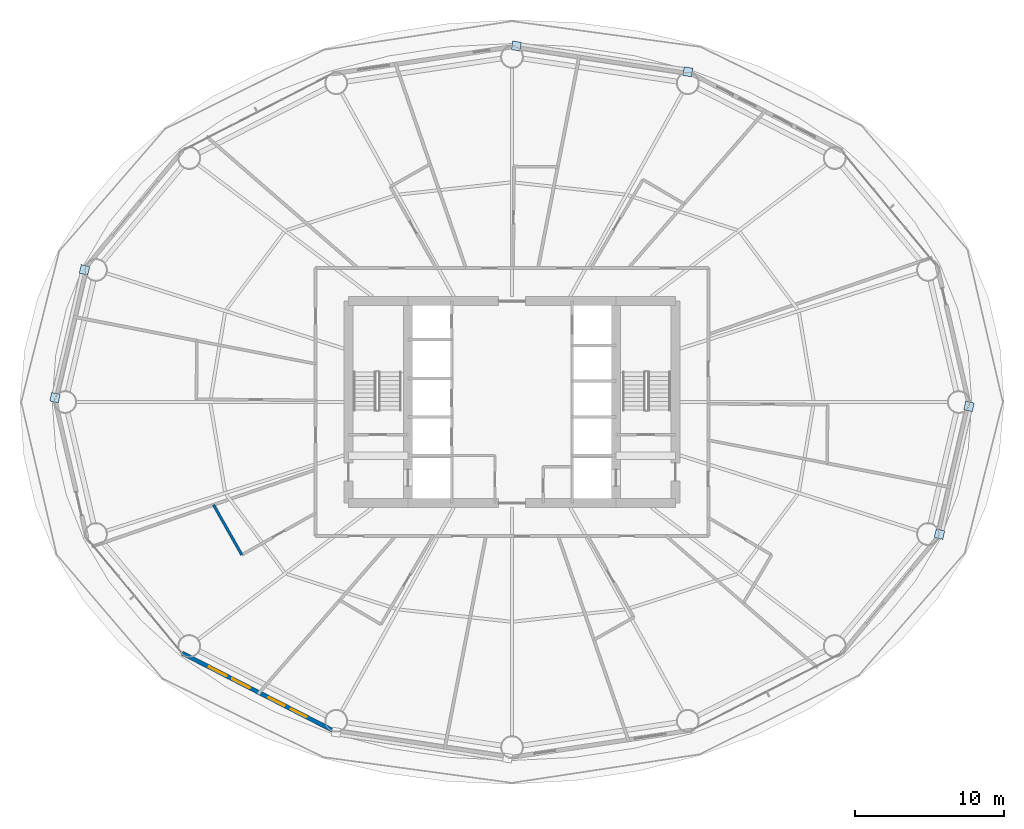
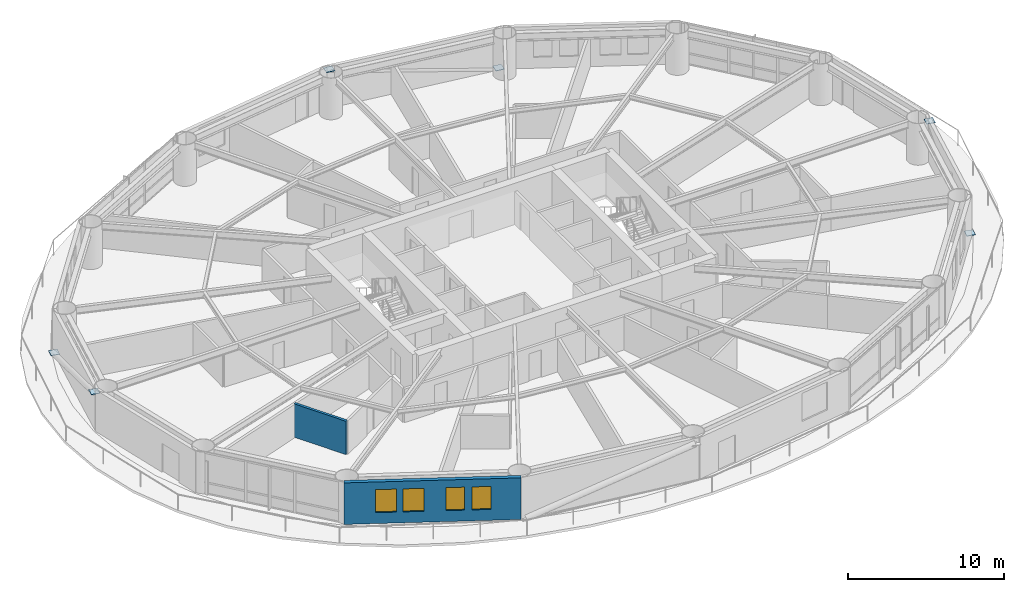
# One storey, part 20 of 27: 6 plates, 4 windows, 2 walls, 4 openings.
"""IFC4 building model written with IfcOpenShell, lengths in metres."""

from ifc_helpers import new_model, si_unit, direction, frame, frame_2d, origin, origin_2d, place, context, subcontext, project, spatial, rectangle, extrude, material, layer, layer_set, type_object, element, fill, save


model = new_model("IFC4")

# Units and contexts
model_context = context("Model", 3, precision=1e-05, world=origin(), true_north=direction((0.0, 1.0)))
body_context = subcontext(model_context, "Body", "Model", "MODEL_VIEW")
ifc_project = project(units=[si_unit("LENGTHUNIT", "METRE"), si_unit("AREAUNIT", "SQUARE_METRE"), si_unit("VOLUMEUNIT", "CUBIC_METRE"), si_unit("PLANEANGLEUNIT", "RADIAN"), si_unit("MASSUNIT", "GRAM", prefix="KILO")], contexts=[model_context])

# Site, building, storey
site_placement = place(None, origin())
site = spatial("IfcSite", under=ifc_project, at=site_placement, CompositionType="ELEMENT")
building_placement = place(site_placement, origin())
building = spatial("IfcBuilding", under=site, at=building_placement, Name="Sarneth Arch Tower", CompositionType="ELEMENT")
storey_placement = place(building_placement, frame((0.0, 0.0, 75.0)))
storey = spatial("IfcBuildingStorey", under=building, at=storey_placement, Name="L18", CompositionType="ELEMENT", Elevation=75.0)

# Plates
ifc_material_1 = material(Name="Steel S355", Category="steel")
ifc_layer_1 = layer(ifc_material_1, 0.035888671875)
ifc_layer_set_1 = layer_set([ifc_layer_1], Name="Steel S355")
plate_type = type_object("IfcPlateType", Name="PLT-GUSSET-30", PredefinedType="SHEET", material=ifc_layer_set_1)
for number, where, z_axis, x_axis, name in (
    (1, (59.819580078125, 64.19921875, 0.001953125), (0.0, 0.0, 1.0), (-0.98883454203, 0.149017611339, 0.0), "Steel end cap plate GP-1"),
    (2, (48.296630859375, 65.935302734375, 2.85888671875), (0.0, 0.0, 1.0), (-0.98883454203, 0.149017611339, 0.0), "Steel end cap plate GP-1"),
    (3, (19.260986328125, 50.884521484375, 0.001953125), (0.0, 0.0, 1.0), (-0.225291159947, -0.974291482694, 0.0), "Steel end cap plate GP-1"),
    (4, (17.274658203125, 42.292236328125, 2.85888671875), (0.0, 0.0, 1.0), (-0.225291159947, -0.974291482694, 0.0), "Steel end cap plate GP-1"),
    (5, (76.739013671875, 33.115478515625, 0.001953125), (0.0, 0.0, 1.0), (0.225291159947, 0.974291482694, 0.0), "Steel end cap plate GP-1"),
    (6, (78.725341796875, 41.707763671875, 2.85888671875), (0.0, 0.0, 1.0), (0.225291159947, 0.974291482694, 0.0), "Steel end cap plate GP-1"),
):
    element("IfcPlate", number, at=place(storey_placement, frame(where, z_axis=z_axis, x_axis=x_axis)), inside=storey, type_object=plate_type, Name=name, PredefinedType="SHEET", context=body_context, shape_type="SweptSolid", body=[
        extrude(rectangle(XDim=0.587890625, YDim=0.587890625, at=origin_2d()), origin(), (0.0, 0.0, 1.0), 0.035888671875),
    ])

# Wall, openings, windows
ifc_material_2 = material(Name="Extruded terracotta rainscreen on Concrete C40/50 backing", Category="masonry")
ifc_layer_2 = layer(ifc_material_2, 0.280029296875)
ifc_layer_set_2 = layer_set([ifc_layer_2], Name="Extruded terracotta rainscreen on Concrete C40/50 backing")
wall_type_1 = type_object("IfcWallType", Name="WALL-EXT-TERRA-280", PredefinedType="SOLIDWALL", material=ifc_layer_set_2)
wall_1_placement = place(storey_placement, frame((25.825927734375, 25.1142578125, 0.0), z_axis=(0.0, 0.0, 1.0), x_axis=(0.889853976658, -0.456245438581, 0.0)))
wall_1 = element("IfcWall", 7, at=wall_1_placement, inside=storey, type_object=wall_type_1, Name="L18 Terracotta perimeter wall 11", PredefinedType="SOLIDWALL", context=body_context, shape_type="SweptSolid", body=[
    extrude(rectangle(XDim=11.345947265625, YDim=0.280029296875, at=frame_2d((5.6728515625, 0.0))), origin(), (0.0, 0.0, 1.0), 3.25),
])
opening_1_placement = place(wall_1_placement, frame((2.01953125, 0.0, 0.85009765625)))
opening_1 = element("IfcOpeningElement", 8, at=opening_1_placement, cuts=wall_1, Name="Opening W-08", PredefinedType="OPENING", context=body_context, shape_type="SweptSolid", body=[
    extrude(rectangle(XDim=1.35009765625, YDim=1.800048828125, at=frame_2d((0.675048828125, 0.89990234375))), frame((0.0, 0.14990234375, 0.0), z_axis=(0.0, -1.0, 0.0), x_axis=(1.0, 0.0, 0.0)), (0.0, 0.0, 1.0), 0.300048828125),
])
opening_2_placement = place(wall_1_placement, frame((3.78369140625, 0.0, 0.85009765625)))
opening_2 = element("IfcOpeningElement", 9, at=opening_2_placement, cuts=wall_1, Name="Opening W-08", PredefinedType="OPENING", context=body_context, shape_type="SweptSolid", body=[
    extrude(rectangle(XDim=1.35009765625, YDim=1.800048828125, at=frame_2d((0.675048828125, 0.89990234375))), frame((0.0, 0.14990234375, 0.0), z_axis=(0.0, -1.0, 0.0), x_axis=(1.0, 0.0, 0.0)), (0.0, 0.0, 1.0), 0.300048828125),
])
opening_3_placement = place(wall_1_placement, frame((6.52880859375, 0.0, 0.85009765625)))
opening_3 = element("IfcOpeningElement", 10, at=opening_3_placement, cuts=wall_1, Name="Opening W-09", PredefinedType="OPENING", context=body_context, shape_type="SweptSolid", body=[
    extrude(rectangle(XDim=1.199951171875, YDim=1.800048828125, at=frame_2d((0.60009765625, 0.89990234375))), frame((0.0, 0.14990234375, 0.0), z_axis=(0.0, -1.0, 0.0), x_axis=(1.0, 0.0, 0.0)), (0.0, 0.0, 1.0), 0.300048828125),
])
opening_4_placement = place(wall_1_placement, frame((8.209716796875, 0.0, 0.85009765625)))
opening_4 = element("IfcOpeningElement", 11, at=opening_4_placement, cuts=wall_1, Name="Opening W-09", PredefinedType="OPENING", context=body_context, shape_type="SweptSolid", body=[
    extrude(rectangle(XDim=1.199951171875, YDim=1.800048828125, at=frame_2d((0.60009765625, 0.89990234375))), frame((0.0, 0.14990234375, 0.0), z_axis=(0.0, -1.0, 0.0), x_axis=(1.0, 0.0, 0.0)), (0.0, 0.0, 1.0), 0.300048828125),
])
ifc_material_3 = material(Name="Thermally broken Aluminium 6063-T6 and low-e laminated IGU", Category="aluminium")
window_type_1 = type_object("IfcWindowType", Name="WIN-TWR-1200x1800", PartitioningType="SINGLE_PANEL", PredefinedType="WINDOW", material=ifc_material_3)
window_1_placement = place(opening_3_placement, origin())
window_1 = element("IfcWindow", 12, at=window_1_placement, inside=storey, type_object=window_type_1, Name="L18 Exterior window 11C", OverallHeight=1.800048828125, OverallWidth=1.199951171875, PartitioningType="SINGLE_PANEL", PredefinedType="WINDOW", context=body_context, shape_type="SweptSolid", body=[
    extrude(rectangle(XDim=1.199951171875, YDim=1.800048828125, at=frame_2d((0.60009765625, 0.89990234375))), frame((0.0, 0.030029296875, 0.0), z_axis=(0.0, -1.0, 0.0), x_axis=(1.0, 0.0, 0.0)), (0.0, 0.0, 1.0), 0.06005859375),
])
fill(opening_3, window_1)
window_2_placement = place(opening_4_placement, origin())
window_2 = element("IfcWindow", 13, at=window_2_placement, inside=storey, type_object=window_type_1, Name="L18 Exterior window 11D", OverallHeight=1.800048828125, OverallWidth=1.199951171875, PartitioningType="SINGLE_PANEL", PredefinedType="WINDOW", context=body_context, shape_type="SweptSolid", body=[
    extrude(rectangle(XDim=1.199951171875, YDim=1.800048828125, at=frame_2d((0.60009765625, 0.89990234375))), frame((0.0, 0.030029296875, 0.0), z_axis=(0.0, -1.0, 0.0), x_axis=(1.0, 0.0, 0.0)), (0.0, 0.0, 1.0), 0.06005859375),
])
fill(opening_4, window_2)
ifc_material_4 = material(Name="Thermally broken Aluminium 6063-T6 and low-e laminated IGU", Category="aluminium")
window_type_2 = type_object("IfcWindowType", Name="WIN-TWR-1350x1800", PartitioningType="SINGLE_PANEL", PredefinedType="WINDOW", material=ifc_material_4)
window_3_placement = place(opening_1_placement, origin())
window_3 = element("IfcWindow", 14, at=window_3_placement, inside=storey, type_object=window_type_2, Name="L18 Exterior window 11A", OverallHeight=1.800048828125, OverallWidth=1.35009765625, PartitioningType="SINGLE_PANEL", PredefinedType="WINDOW", context=body_context, shape_type="SweptSolid", body=[
    extrude(rectangle(XDim=1.35009765625, YDim=1.800048828125, at=frame_2d((0.675048828125, 0.89990234375))), frame((0.0, 0.030029296875, 0.0), z_axis=(0.0, -1.0, 0.0), x_axis=(1.0, 0.0, 0.0)), (0.0, 0.0, 1.0), 0.06005859375),
])
fill(opening_1, window_3)
window_4_placement = place(opening_2_placement, origin())
window_4 = element("IfcWindow", 15, at=window_4_placement, inside=storey, type_object=window_type_2, Name="L18 Exterior window 11B", OverallHeight=1.800048828125, OverallWidth=1.35009765625, PartitioningType="SINGLE_PANEL", PredefinedType="WINDOW", context=body_context, shape_type="SweptSolid", body=[
    extrude(rectangle(XDim=1.35009765625, YDim=1.800048828125, at=frame_2d((0.675048828125, 0.89990234375))), frame((0.0, 0.030029296875, 0.0), z_axis=(0.0, -1.0, 0.0), x_axis=(1.0, 0.0, 0.0)), (0.0, 0.0, 1.0), 0.06005859375),
])
fill(opening_2, window_4)

# Wall
ifc_material_5 = material(Name="Moisture-resistant plumbing chase wall", Category="gypsum")
ifc_layer_3 = layer(ifc_material_5, 0.179931640625)
ifc_layer_set_3 = layer_set([ifc_layer_3], Name="Moisture-resistant plumbing chase wall")
wall_type_2 = type_object("IfcWallType", Name="WALL-PLUMB-180", PredefinedType="PLUMBINGWALL", material=ifc_layer_set_3)
wall_2_placement = place(storey_placement, frame((27.932861328125, 35.09033203125, 0.0), z_axis=(0.0, 0.0, 1.0), x_axis=(0.492429534147, -0.870352315962, 0.0)))
element("IfcWall", 16, at=wall_2_placement, inside=storey, type_object=wall_type_2, Name="L18 Interior partition W-L18-TP-046", PredefinedType="PLUMBINGWALL", context=body_context, shape_type="SweptSolid", body=[
    extrude(rectangle(XDim=3.86767578125, YDim=0.179931640625, at=frame_2d((1.933837890625, 0.0))), origin(), (0.0, 0.0, 1.0), 2.610107421875),
])

save(model, "model.ifc")
